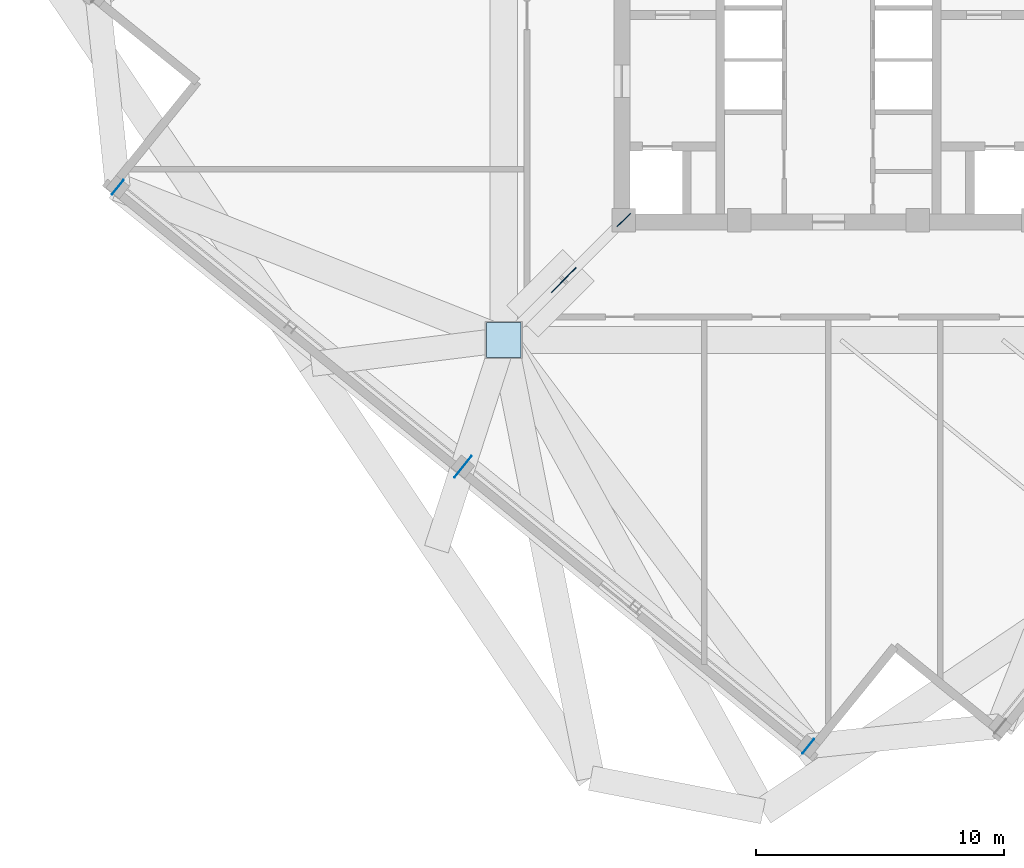
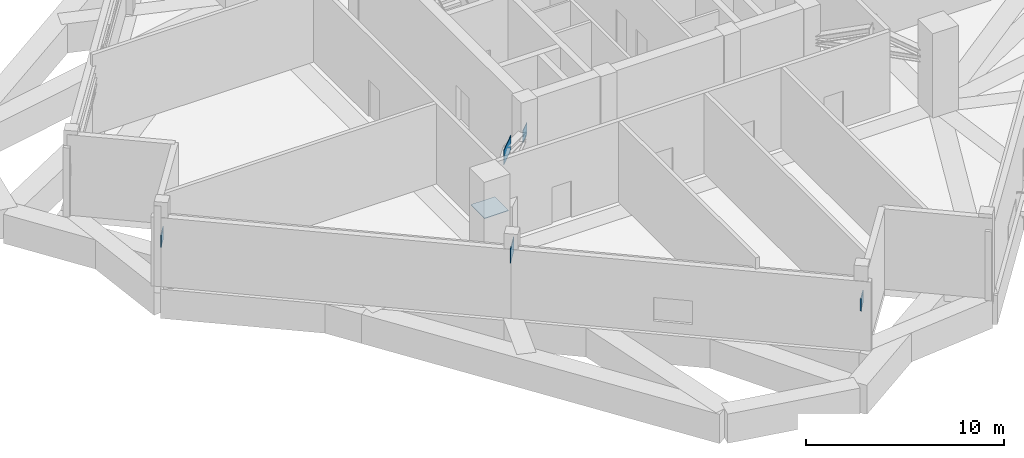
# One storey, part 12 of 22: 6 plates.
"""IFC4 building model written with IfcOpenShell, lengths in metres."""

from ifc_helpers import new_model, si_unit, direction, frame, origin, origin_2d, place, context, subcontext, project, spatial, rectangle, extrude, source, transform, mapped, material, layer, layer_set, type_object, element, save


model = new_model("IFC4")

# Units and contexts
model_context = context("Model", 3, precision=1e-05, world=origin(), true_north=direction((0.0, 1.0)))
body_context = subcontext(model_context, "Body", "Model", "MODEL_VIEW")
ifc_project = project(units=[si_unit("LENGTHUNIT", "METRE"), si_unit("AREAUNIT", "SQUARE_METRE"), si_unit("VOLUMEUNIT", "CUBIC_METRE"), si_unit("PLANEANGLEUNIT", "RADIAN"), si_unit("MASSUNIT", "GRAM", prefix="KILO"), si_unit("THERMODYNAMICTEMPERATUREUNIT", "KELVIN")], contexts=[model_context])

# Site, building, storey
site_placement = place(None, origin())
site = spatial("IfcSite", under=ifc_project, at=site_placement, CompositionType="ELEMENT")
building_placement = place(site_placement, origin())
building = spatial("IfcBuilding", under=site, at=building_placement, Name="Kosmvard Interchange Tower", CompositionType="ELEMENT")
storey_placement = place(building_placement, frame((0.0, 0.0, 200.39990234375)))
storey = spatial("IfcBuildingStorey", under=building, at=storey_placement, Name="L48", CompositionType="ELEMENT", Elevation=200.39990234375)

# Plates
ifc_material = material(Name="Steel S460", Category="steel")
ifc_layer_1 = layer(ifc_material, 0.031982421875, Name="Steel S460")
ifc_layer_set_1 = layer_set([ifc_layer_1], Name="Steel S460")
plate_type_1 = type_object("IfcPlateType", Name="Belt Truss Gusset Plate 1100x1100x32 S460", PredefinedType="USERDEFINED", material=ifc_layer_set_1)
shared_shape_1 = source(origin(), body_context, "Body", "SweptSolid", [
    extrude(rectangle(XDim=0.75, YDim=0.031982421875, at=origin_2d()), origin(), (0.0, 0.0, 1.0), 0.75),
])
for number, where, z_axis, x_axis, name in (
    (1, (-8.25, -8.25, 2.545166015625), (0.0, 0.0, 1.0), (0.707106781187, 0.707106781187, 0.0), "L48 Outrigger Core End Gusset Plate 1"),
    (2, (-28.636962890625, -6.92041015625, 2.445068359375), (0.0, 0.0, 1.0), (0.62932039105, 0.777145961457, 0.0), "L48 Belt Truss End Gusset Plate BAW"),
    (3, (-0.815185546875, -29.449951171875, 2.445068359375), (0.0, 0.0, 1.0), (0.62932039105, 0.777145961457, 0.0), "L48 Belt Truss End Gusset Plate BBW"),
):
    element("IfcPlate", number, at=place(storey_placement, frame(where, z_axis=z_axis, x_axis=x_axis)), inside=storey, type_object=plate_type_1, Name=name, ObjectType="GUSSET_PLATE", PredefinedType="USERDEFINED", context=body_context, shape_type="MappedRepresentation", body=[
        mapped(shared_shape_1, transform((0.0, 0.0, 0.0), scale=1.0)),
    ])
ifc_layer_2 = layer(ifc_material, 0.035888671875, Name="Steel S460")
ifc_layer_set_2 = layer_set([ifc_layer_2], Name="Steel S460")
plate_type_2 = type_object("IfcPlateType", Name="Outrigger Node Gusset Plate 1400x1400x36 S460", PredefinedType="USERDEFINED", material=ifc_layer_set_2)
shared_shape_2 = source(origin(), body_context, "Body", "SweptSolid", [
    extrude(rectangle(XDim=1.39990234375, YDim=0.035888671875, at=origin_2d()), origin(), (0.0, 0.0, 1.0), 0.89990234375),
])
plate_1_placement = place(storey_placement, frame((-10.66552734375, -10.66552734375, 3.710205078125), z_axis=(0.0, 0.0, 1.0), x_axis=(0.707106781187, 0.707106781187, 0.0)))
element("IfcPlate", 4, at=plate_1_placement, inside=storey, type_object=plate_type_2, Name="L48 Outrigger Node Gusset Plate 1", ObjectType="GUSSET_PLATE", PredefinedType="USERDEFINED", context=body_context, shape_type="MappedRepresentation", body=[
    mapped(shared_shape_2, transform((0.0, 0.0, 0.0), scale=1.0)),
])
ifc_layer_3 = layer(ifc_material, 0.034912109375, Name="Steel S460")
ifc_layer_set_3 = layer_set([ifc_layer_3], Name="Steel S460")
plate_type_3 = type_object("IfcPlateType", Name="Mega-Column Splice Flange Plate 1400x1400x35 S460", PredefinedType="USERDEFINED", material=ifc_layer_set_3)
shared_shape_3 = source(origin(), body_context, "Body", "SweptSolid", [
    extrude(rectangle(XDim=1.39990234375, YDim=1.39990234375, at=origin_2d()), origin(), (0.0, 0.0, 1.0), 0.034912109375),
])
plate_2_placement = place(storey_placement, frame((-13.0810546875, -13.0810546875, 2.90283203125), z_axis=(0.0, 0.0, 1.0), x_axis=(1.0, 0.0, 0.0)))
element("IfcPlate", 5, at=plate_2_placement, inside=storey, type_object=plate_type_3, Name="L48 Mega-Column Splice Flange Plate 1", ObjectType="FLANGE_PLATE", PredefinedType="USERDEFINED", context=body_context, shape_type="MappedRepresentation", body=[
    mapped(shared_shape_3, transform((0.0, 0.0, 0.0), scale=1.0)),
])
shared_shape_4 = source(origin(), body_context, "Body", "SweptSolid", [
    extrude(rectangle(XDim=1.10009765625, YDim=0.031982421875, at=origin_2d()), origin(), (0.0, 0.0, 1.0), 0.89990234375),
])
plate_3_placement = place(storey_placement, frame((-14.72607421875, -18.185302734375, 3.530029296875), z_axis=(0.0, 0.0, 1.0), x_axis=(0.62932039105, 0.777145961457, 0.0)))
element("IfcPlate", 6, at=plate_3_placement, inside=storey, type_object=plate_type_1, Name="L48 Belt Truss Node Gusset Plate W", ObjectType="GUSSET_PLATE", PredefinedType="USERDEFINED", context=body_context, shape_type="MappedRepresentation", body=[
    mapped(shared_shape_4, transform((0.0, 0.0, 0.0), scale=1.0)),
])

save(model, "model.ifc")
